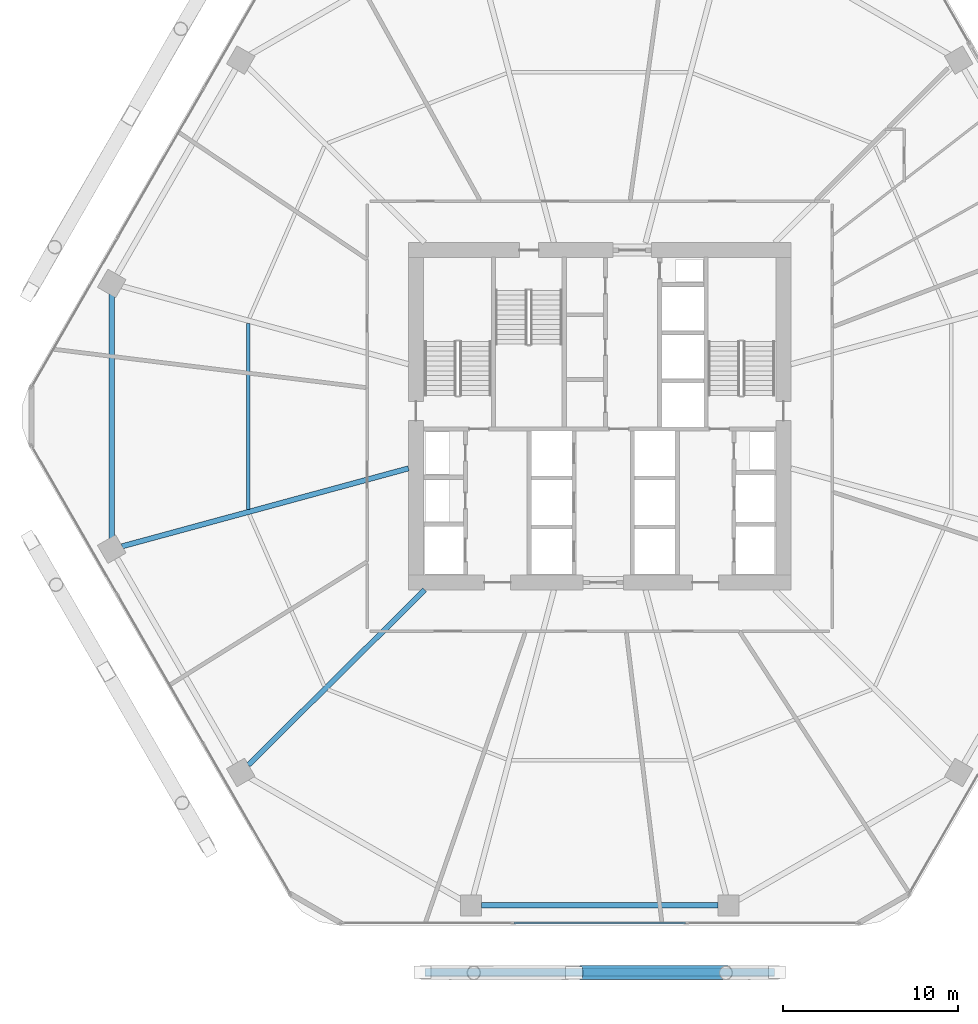
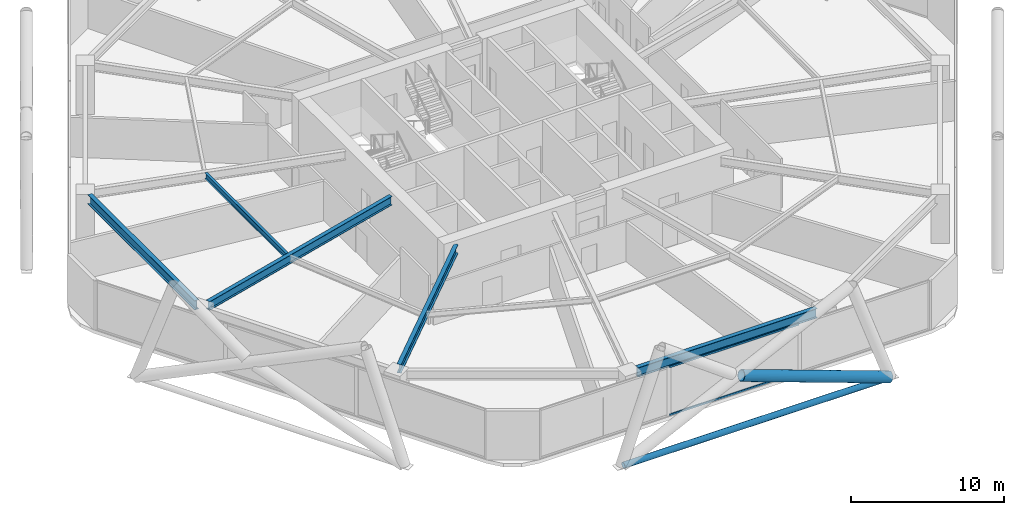
# One storey, part 6 of 28: 5 beams, 4 members, 1 element without a shape of its own.
"""IFC4 building model written with IfcOpenShell, lengths in metres."""

from ifc_helpers import new_model, si_unit, direction, frame, origin, origin_2d, place, context, subcontext, project, spatial, hollow_rectangle, hollow_circle, i_section, extrude, material, material_profile, profile_set, type_object, element, aggregate, save


model = new_model("IFC4")

# Units and contexts
model_context = context("Model", 3, precision=1e-05, world=origin(), true_north=direction((0.0, 1.0)))
body_context = subcontext(model_context, "Body", "Model", "MODEL_VIEW")
ifc_project = project(units=[si_unit("LENGTHUNIT", "METRE"), si_unit("AREAUNIT", "SQUARE_METRE"), si_unit("VOLUMEUNIT", "CUBIC_METRE"), si_unit("PLANEANGLEUNIT", "RADIAN"), si_unit("MASSUNIT", "GRAM", prefix="KILO")], contexts=[model_context])

# Site, building, storey
site_placement = place(None, origin())
site = spatial("IfcSite", under=ifc_project, at=site_placement, CompositionType="ELEMENT")
building_placement = place(site_placement, origin())
building = spatial("IfcBuilding", under=site, at=building_placement, Name="Zuhravey Tower", CompositionType="ELEMENT")
storey_placement = place(building_placement, frame((0.0, 0.0, 24.60009765625)))
storey = spatial("IfcBuildingStorey", under=building, at=storey_placement, Name="L06", CompositionType="ELEMENT", Elevation=24.60009765625)

# Curtain wall, members
ifc_material_1 = material(Name="Thermally broken anodised aluminium", Category="aluminium")
curtain_wall_type = type_object("IfcCurtainWallType", Name="School Low-E Unitised Curtain Wall CW1", PredefinedType="NOTDEFINED", material=ifc_material_1)
curtain_wall_placement = place(storey_placement, origin())
curtain_wall = element("IfcCurtainWall", 1, at=curtain_wall_placement, inside=storey, type_object=curtain_wall_type, Name="L06 CW1 CW-L06-F5-1", PredefinedType="NOTDEFINED")
ifc_material_2 = material(Name="Anodised aluminium", Category="aluminium")
ifc_material_profile_1 = material_profile(ifc_material_2, hollow_rectangle(XDim=0.090087890625, YDim=0.14990234375, WallThickness=0.0048828125, at=origin_2d()), Name="ALU-RHS-90x150x5")
ifc_profile_set_1 = profile_set([ifc_material_profile_1], Name="Anodised aluminium")
member_type_1 = type_object("IfcMemberType", Name="Curtain-Wall Transom 90x150", PredefinedType="USERDEFINED", material=ifc_profile_set_1)
member_1_placement = place(storey_placement, frame((40.88818359375, 3.04150390625, 0.044921875), z_axis=(-1.0, 0.0, 0.0), x_axis=(0.0, -1.0, 0.0)))
member_1 = element("IfcMember", 2, at=member_1_placement, type_object=member_type_1, Name="CW1 transom 2.1", ObjectType="TRANSOM", PredefinedType="USERDEFINED", context=body_context, shape_type="SweptSolid", body=[
    extrude(hollow_rectangle(XDim=0.090087890625, YDim=0.14990234375, WallThickness=0.0048828125, at=origin_2d()), origin(), (0.0, 0.0, 1.0), 9.7763671875),
])
member_2_placement = place(storey_placement, frame((40.88818359375, 3.04150390625, 3.875), z_axis=(-1.0, 0.0, 0.0), x_axis=(0.0, -1.0, 0.0)))
member_2 = element("IfcMember", 3, at=member_2_placement, type_object=member_type_1, Name="CW1 transom 2.2", ObjectType="TRANSOM", PredefinedType="USERDEFINED", context=body_context, shape_type="SweptSolid", body=[
    extrude(hollow_rectangle(XDim=0.090087890625, YDim=0.14990234375, WallThickness=0.0048828125, at=origin_2d()), origin(), (0.0, 0.0, 1.0), 9.7763671875),
])
aggregate(curtain_wall, [member_1, member_2])

# Members
ifc_material_3 = material(Name="Steel SM355", Category="steel")
ifc_material_profile_2 = material_profile(ifc_material_3, hollow_circle(Radius=0.228515625, WallThickness=0.02197265625, at=origin_2d()), Name="CHS-457.2x22")
ifc_profile_set_2 = profile_set([ifc_material_profile_2], Name="Steel SM355")
member_type_2 = type_object("IfcMemberType", Name="Exoskeleton Ring Tie CHS457x22", PredefinedType="CHORD", material=ifc_profile_set_2)
member_3_placement = place(storey_placement, frame((26.003173828125, 0.221435546875, -0.494140625), z_axis=(1.0, 0.0, 0.0), x_axis=(0.0, 1.0, 0.0)))
element("IfcMember", 4, at=member_3_placement, inside=storey, type_object=member_type_2, Name="L06 Exoskeleton Face 5 Tie EXR1", PredefinedType="CHORD", context=body_context, shape_type="SweptSolid", body=[
    extrude(hollow_circle(Radius=0.228515625, WallThickness=0.02197265625, at=origin_2d()), origin(), (0.0, 0.0, 1.0), 19.99365234375),
])
ifc_material_4 = material(Name="Steel SM460", Category="steel")
ifc_material_profile_3 = material_profile(ifc_material_4, hollow_circle(Radius=0.406494140625, WallThickness=0.035888671875, at=origin_2d()), Name="CHS-812.8x36")
ifc_profile_set_3 = profile_set([ifc_material_profile_3], Name="Steel SM460")
member_type_3 = type_object("IfcMemberType", Name="Exoskeleton Zone 1 Diagrid CHS813x36", PredefinedType="BRACE", material=ifc_profile_set_3)
member_4_placement = place(storey_placement, frame((46.08935546875, 0.221435546875, -0.47705078125), z_axis=(-0.940338524812, -0.001210665844, 0.340238141664), x_axis=(0.001287477657, -0.9999991712, 0.0)))
element("IfcMember", 5, at=member_4_placement, inside=storey, type_object=member_type_3, Name="L06 Face 5 Split Diagrid Brace 3A", PredefinedType="BRACE", context=body_context, shape_type="SweptSolid", body=[
    extrude(hollow_circle(Radius=0.406494140625, WallThickness=0.035888671875, at=origin_2d()), origin(), (0.0, 0.0, 1.0), 11.89794921875),
])

# Beams
ifc_material_profile_4 = material_profile(ifc_material_3, i_section(OverallWidth=0.320068359375, OverallDepth=0.75, WebThickness=0.013916015625, FlangeThickness=0.02490234375, at=origin_2d()), Name="H-750x320x14x25")
ifc_profile_set_4 = profile_set([ifc_material_profile_4], Name="Steel SM355")
beam_type_1 = type_object("IfcBeamType", Name="Perimeter Ring Beam H750x320", PredefinedType="BEAM", material=ifc_profile_set_4)
beam_1_placement = place(storey_placement, frame((8.11083984375, 38.988525390625, 3.544921875), z_axis=(0.0, -1.0, 0.0), x_axis=(1.0, 0.0, 0.0)))
element("IfcBeam", 6, at=beam_1_placement, inside=storey, type_object=beam_type_1, Name="L06 PB1 BM-L06-PB-06", PredefinedType="BEAM", context=body_context, shape_type="SweptSolid", body=[
    extrude(i_section(OverallWidth=0.320068359375, OverallDepth=0.75, WebThickness=0.013916015625, FlangeThickness=0.02490234375, at=origin_2d()), origin(), (0.0, 0.0, 1.0), 13.97705078125),
])
beam_2_placement = place(storey_placement, frame((29.23291015625, 4.051513671875, 3.544921875), z_axis=(1.0, 0.0, 0.0), x_axis=(0.0, 1.0, 0.0)))
element("IfcBeam", 7, at=beam_2_placement, inside=storey, type_object=beam_type_1, Name="L06 PB1 BM-L06-PB-09", PredefinedType="BEAM", context=body_context, shape_type="SweptSolid", body=[
    extrude(i_section(OverallWidth=0.320068359375, OverallDepth=0.75, WebThickness=0.013916015625, FlangeThickness=0.02490234375, at=origin_2d()), origin(), (0.0, 0.0, 1.0), 13.5341796875),
])
ifc_material_profile_5 = material_profile(ifc_material_3, i_section(OverallWidth=0.300048828125, OverallDepth=0.699951171875, WebThickness=0.012939453125, FlangeThickness=0.02392578125, at=origin_2d()), Name="H-700x300x13x24")
ifc_profile_set_5 = profile_set([ifc_material_profile_5], Name="Steel SM355")
beam_type_2 = type_object("IfcBeamType", Name="Radial Primary Girder H700x300", PredefinedType="BEAM", material=ifc_profile_set_5)
beam_3_placement = place(storey_placement, frame((25.072021484375, 29.025390625, 3.56982421875), z_axis=(-0.964892480455, -0.26264520015, 0.0), x_axis=(0.26264520015, -0.964892480455, 0.0)))
element("IfcBeam", 8, at=beam_3_placement, inside=storey, type_object=beam_type_2, Name="L06 RG1 BM-L06-RAD-07", PredefinedType="BEAM", context=body_context, shape_type="SweptSolid", body=[
    extrude(i_section(OverallWidth=0.300048828125, OverallDepth=0.699951171875, WebThickness=0.012939453125, FlangeThickness=0.02392578125, at=origin_2d()), origin(), (0.0, 0.0, 1.0), 16.975341796875),
])
beam_4_placement = place(storey_placement, frame((25.992919921875, 22.072021484375, 3.56982421875), z_axis=(-0.709902823282, -0.704299639, 0.0), x_axis=(0.704299639, -0.709902823282, 0.0)))
element("IfcBeam", 9, at=beam_4_placement, inside=storey, type_object=beam_type_2, Name="L06 RG1 BM-L06-RAD-08", PredefinedType="BEAM", context=body_context, shape_type="SweptSolid", body=[
    extrude(i_section(OverallWidth=0.300048828125, OverallDepth=0.699951171875, WebThickness=0.012939453125, FlangeThickness=0.02392578125, at=origin_2d()), origin(), (0.0, 0.0, 1.0), 14.204345703125),
])
ifc_material_profile_6 = material_profile(ifc_material_3, i_section(OverallWidth=0.199951171875, OverallDepth=0.449951171875, WebThickness=0.009033203125, FlangeThickness=0.013916015625, at=origin_2d()), Name="H-450x200x9x14")
ifc_profile_set_6 = profile_set([ifc_material_profile_6], Name="Steel SM355")
beam_type_3 = type_object("IfcBeamType", Name="Secondary Floor Joist H450x200", PredefinedType="JOIST", material=ifc_profile_set_6)
beam_5_placement = place(storey_placement, frame((15.9130859375, 37.313720703125, 3.69482421875), z_axis=(0.0, -1.0, 0.0), x_axis=(1.0, 0.0, 0.0)))
element("IfcBeam", 10, at=beam_5_placement, inside=storey, type_object=beam_type_3, Name="L06 SJ1 BM-L06-SJ-06-1", PredefinedType="JOIST", context=body_context, shape_type="SweptSolid", body=[
    extrude(i_section(OverallWidth=0.199951171875, OverallDepth=0.449951171875, WebThickness=0.009033203125, FlangeThickness=0.013916015625, at=origin_2d()), origin(), (0.0, 0.0, 1.0), 10.62744140625),
])

save(model, "model.ifc")
